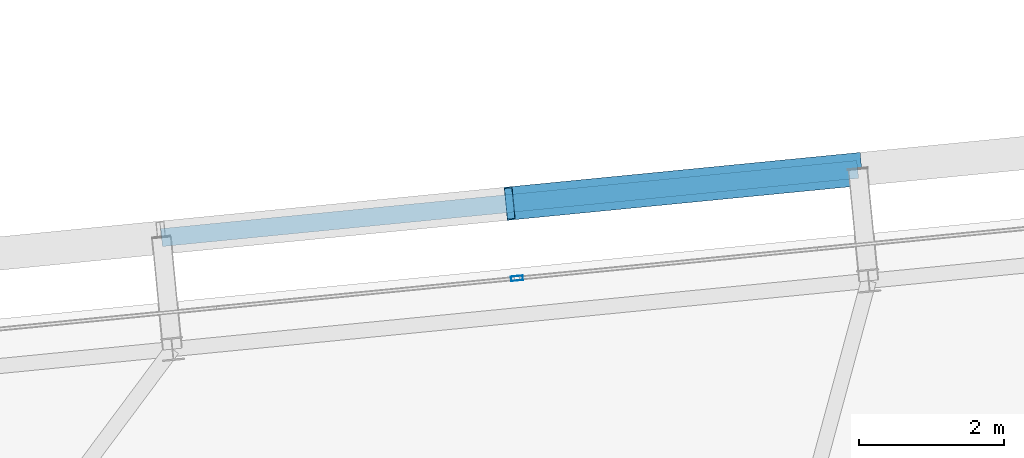
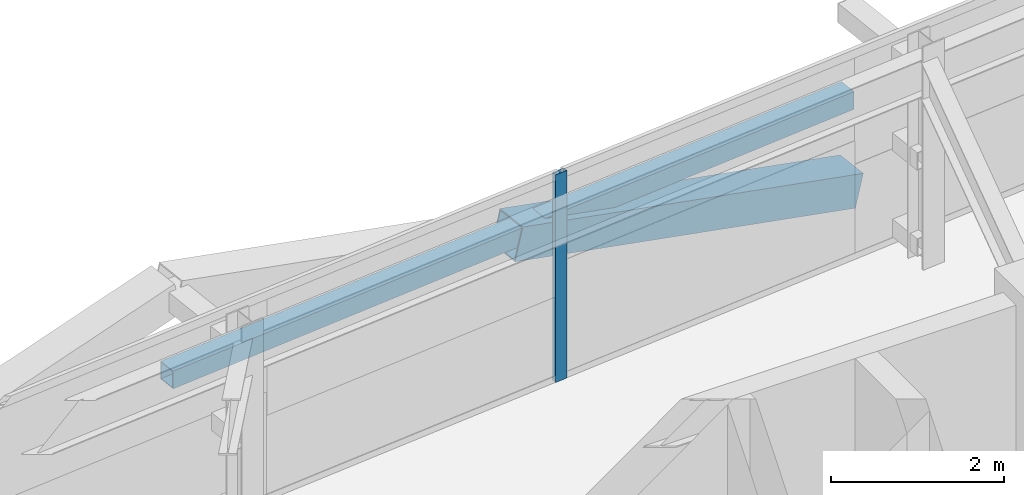
# One storey, part 27 of 47: 3 members, 1 element without a shape of its own.
"""IFC4 building model written with IfcOpenShell, lengths in metres."""

from ifc_helpers import new_model, si_unit, direction, frame, origin, origin_2d, place, context, subcontext, project, spatial, hollow_rectangle, extrude, source, transform, mapped, material, layer, layer_set, material_profile, profile_set, type_object, element, aggregate, save


model = new_model("IFC4")

# Units and contexts
model_context = context("Model", 3, precision=1e-05, world=origin(), true_north=direction((0.0, 1.0)))
body_context = subcontext(model_context, "Body", "Model", "MODEL_VIEW")
ifc_project = project(units=[si_unit("LENGTHUNIT", "METRE"), si_unit("AREAUNIT", "SQUARE_METRE"), si_unit("VOLUMEUNIT", "CUBIC_METRE"), si_unit("PLANEANGLEUNIT", "RADIAN"), si_unit("MASSUNIT", "GRAM", prefix="KILO")], contexts=[model_context])

# Site, building, storey
site_placement = place(None, origin())
site = spatial("IfcSite", under=ifc_project, at=site_placement, CompositionType="ELEMENT")
building_placement = place(site_placement, origin())
building = spatial("IfcBuilding", under=site, at=building_placement, Name="Taldren Reach Tower", CompositionType="ELEMENT")
storey_placement = place(building_placement, frame((0.0, 0.0, 90.300048828125)))
storey = spatial("IfcBuildingStorey", under=building, at=storey_placement, Name="L27", CompositionType="ELEMENT", Elevation=90.300048828125)

# Members
ifc_material_1 = material(Name="Steel Gr 450 (C450L0)", Category="steel")
ifc_material_profile_1 = material_profile(ifc_material_1, hollow_rectangle(XDim=0.4599609375, YDim=0.4599609375, WallThickness=0.01611328125, at=origin_2d()), Name="460x460x16.0SHS")
ifc_profile_set_1 = profile_set([ifc_material_profile_1], Name="Steel Gr 450 (C450L0)")
member_type_1 = type_object("IfcMemberType", Name="MB-EXO457", PredefinedType="BRACE", material=ifc_profile_set_1)
shared_shape_1 = source(origin(), body_context, "Body", "SweptSolid", [
    extrude(hollow_rectangle(XDim=0.4599609375, YDim=0.4599609375, WallThickness=0.01611328125, at=origin_2d()), origin(), (0.0, 0.0, 1.0), 4.990234375),
])
member_1_placement = place(storey_placement, frame((40.346923828125, 38.333251953125, 0.219970703125), z_axis=(-0.965275526283, -0.094619506732, 0.243496010862), x_axis=(0.097555749586, -0.995230061706, 0.0)))
element("IfcMember", 1, at=member_1_placement, inside=storey, type_object=member_type_1, Name="Exoskeleton Diagrid Brace B2-N3 L27", PredefinedType="BRACE", context=body_context, shape_type="MappedRepresentation", body=[
    mapped(shared_shape_1, transform((0.0, 0.0, 0.0), scale=1.0)),
])
ifc_material_2 = material(Name="Steel Gr 350 (C350L0)", Category="steel")
ifc_material_profile_2 = material_profile(ifc_material_2, hollow_rectangle(XDim=0.25, YDim=0.25, WallThickness=0.010009765625, at=origin_2d()), Name="250x250x10.0SHS")
ifc_profile_set_2 = profile_set([ifc_material_profile_2], Name="Steel Gr 350 (C350L0)")
member_type_2 = type_object("IfcMemberType", Name="MB-POST250", PredefinedType="POST", material=ifc_profile_set_2)
shared_shape_2 = source(origin(), body_context, "Body", "SweptSolid", [
    extrude(hollow_rectangle(XDim=0.25, YDim=0.25, WallThickness=0.010009765625, at=origin_2d()), origin(), (0.0, 0.0, 1.0), 9.679931640625),
])
member_2_placement = place(storey_placement, frame((30.713134765625, 37.388671875, 1.43505859375), z_axis=(0.995227612658, 0.097580730699, 0.0), x_axis=(-0.097580730699, 0.995227612658, 0.0)))
element("IfcMember", 2, at=member_2_placement, inside=storey, type_object=member_type_2, Name="Exoskeleton mid-height ring chord B2-N3 L27", PredefinedType="POST", context=body_context, shape_type="MappedRepresentation", body=[
    mapped(shared_shape_2, transform((0.0, 0.0, 0.0), scale=1.0)),
])

# Curtain wall, member
ifc_material_3 = material(Name="Aluminium and Low-E Glass Unitised System", Category="aluminium")
ifc_layer = layer(ifc_material_3, 0.159912109375)
ifc_layer_set = layer_set([ifc_layer], Name="Aluminium and Low-E Glass Unitised System")
curtain_wall_type = type_object("IfcCurtainWallType", Name="CW-SYS-3", PredefinedType="NOTDEFINED", material=ifc_layer_set)
curtain_wall_placement = place(storey_placement, origin())
curtain_wall = element("IfcCurtainWall", 3, at=curtain_wall_placement, inside=storey, type_object=curtain_wall_type, Name="Unitised curtain wall CW-L27-N", PredefinedType="NOTDEFINED")
ifc_material_4 = material(Name="Anodised Aluminium 6063-T6", Category="aluminium")
ifc_material_profile_3 = material_profile(ifc_material_4, hollow_rectangle(XDim=0.06494140625, YDim=0.1650390625, WallThickness=0.00390625, at=origin_2d()), Name="ALU-165x65x4RHS")
ifc_profile_set_3 = profile_set([ifc_material_profile_3], Name="Anodised Aluminium 6063-T6")
member_type_3 = type_object("IfcMemberType", Name="CW-MUL-165", PredefinedType="MULLION", material=ifc_profile_set_3)
shared_shape_3 = source(origin(), body_context, "Body", "SweptSolid", [
    extrude(hollow_rectangle(XDim=0.06494140625, YDim=0.1650390625, WallThickness=0.00390625, at=origin_2d()), origin(), (0.0, 0.0, 1.0), 2.929931640625),
])
member_3_placement = place(storey_placement, frame((35.631591796875, 36.825927734375, 0.0), z_axis=(0.0, 0.0, 1.0), x_axis=(0.097582999046, -0.995227390247, 0.0)))
member_3 = element("IfcMember", 4, at=member_3_placement, type_object=member_type_3, Name="CW-3 mullion 3", PredefinedType="MULLION", context=body_context, shape_type="MappedRepresentation", body=[
    mapped(shared_shape_3, transform((0.0, 0.0, 0.0), scale=1.0)),
])
aggregate(curtain_wall, [member_3])

save(model, "model.ifc")
